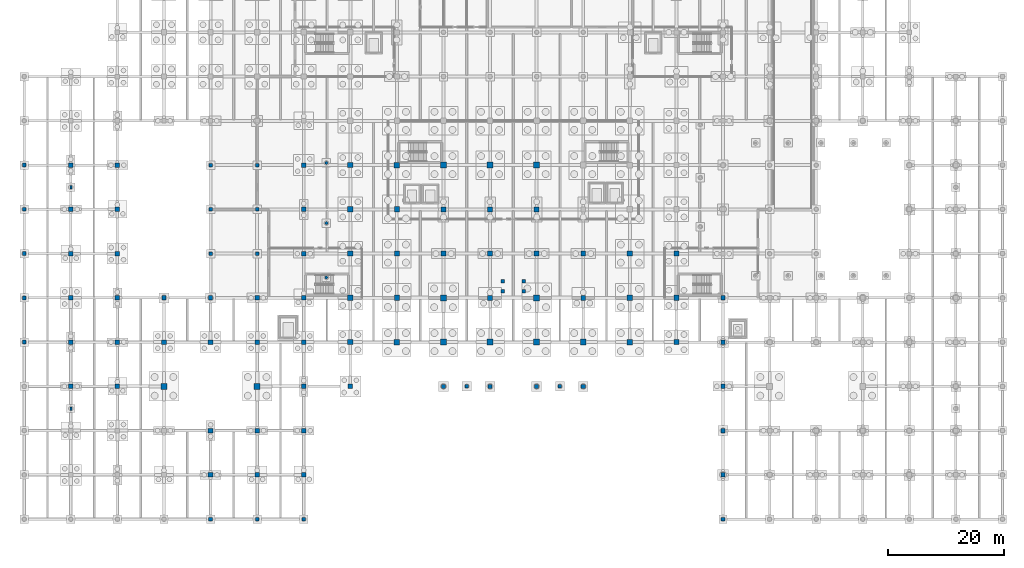
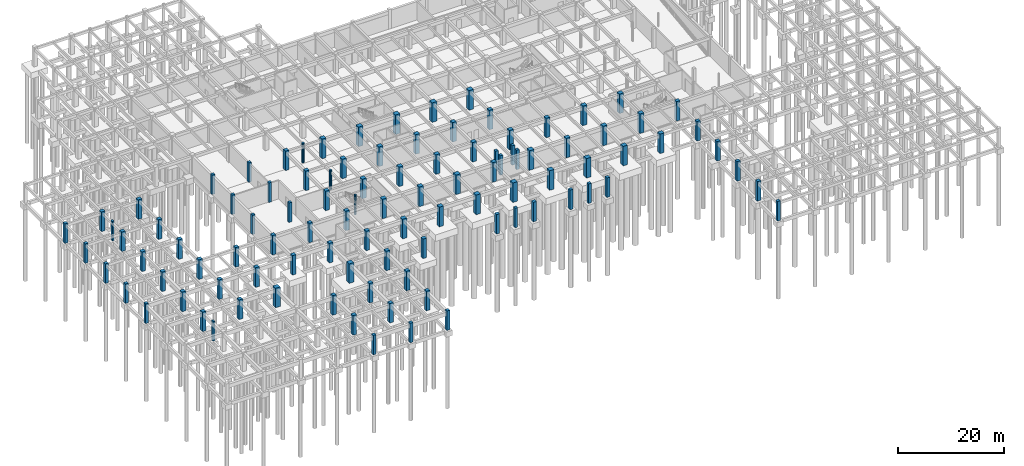
# One storey, part 17 of 49: 102 columns.
"""IFC4 building model written with IfcOpenShell, lengths in metres."""

from ifc_helpers import new_model, si_unit, direction, frame, origin, origin_2d, place, context, subcontext, project, spatial, rectangle, circle, extrude, material, material_profile, profile_set, type_object, element, save


model = new_model("IFC4")

# Units and contexts
model_context = context("Model", 3, precision=1e-05, world=origin(), true_north=direction((0.0, 1.0)))
body_context = subcontext(model_context, "Body", "Model", "MODEL_VIEW")
ifc_project = project(units=[si_unit("LENGTHUNIT", "METRE"), si_unit("AREAUNIT", "SQUARE_METRE"), si_unit("VOLUMEUNIT", "CUBIC_METRE"), si_unit("PLANEANGLEUNIT", "RADIAN"), si_unit("MASSUNIT", "GRAM", prefix="KILO")], contexts=[model_context])

# Site, building, storey
site_placement = place(None, origin())
site = spatial("IfcSite", under=ifc_project, at=site_placement, CompositionType="ELEMENT")
building_placement = place(site_placement, origin())
building = spatial("IfcBuilding", under=site, at=building_placement, Name="Zantavel Square City Hall", CompositionType="ELEMENT")
storey_placement = place(building_placement, frame((0.0, 0.0, -4.5)))
storey = spatial("IfcBuildingStorey", under=building, at=storey_placement, Name="B1", CompositionType="ELEMENT", Elevation=-4.5)

# Columns
ifc_material = material(Name="Concrete C40/50", Category="concrete")
ifc_material_profile_1 = material_profile(ifc_material, rectangle(XDim=0.60009765625, YDim=0.35009765625, at=origin_2d()), Name="RC 600x350")
ifc_profile_set_1 = profile_set([ifc_material_profile_1], Name="Concrete C40/50")
column_type_1 = type_object("IfcColumnType", Name="Colossal Facade Pilaster 600x350 C40/50", PredefinedType="PILASTER", material=ifc_profile_set_1)
for number, where, z_axis, x_axis, name in (
    (1, (8.0, 19.0, 0.0), (0.0, 0.0, 1.0), (0.0, 1.0, 0.0), "B1 Facade Pilaster PIL-B1-0080-0190"),
    (2, (8.0, 57.0, 0.0), (0.0, 0.0, 1.0), (0.0, 1.0, 0.0), "B1 Facade Pilaster PIL-B1-0080-0570"),
):
    element("IfcColumn", number, at=place(storey_placement, frame(where, z_axis=z_axis, x_axis=x_axis)), inside=storey, type_object=column_type_1, Name=name, PredefinedType="PILASTER", context=body_context, shape_type="SweptSolid", body=[
        extrude(rectangle(XDim=0.60009765625, YDim=0.35009765625, at=origin_2d()), origin(), (0.0, 0.0, 1.0), 4.5),
    ])
ifc_material_profile_2 = material_profile(ifc_material, rectangle(XDim=1.0, YDim=1.0, at=origin_2d()), Name="RC 1000x1000")
ifc_profile_set_2 = profile_set([ifc_material_profile_2], Name="Concrete C40/50")
column_type_2 = type_object("IfcColumnType", Name="Column RC 1000x1000 C40/50", PredefinedType="COLUMN", material=ifc_profile_set_2)
for number, where, z_axis, x_axis, name in (
    (3, (24.0, 22.800048828125, 0.0), (0.0, 0.0, 1.0), (1.0, 0.0, 0.0), "B1 Column COL-B1-0240-0228"),
    (4, (40.0, 22.800048828125, 0.0), (0.0, 0.0, 1.0), (1.0, 0.0, 0.0), "B1 Column COL-B1-0400-0228"),
    (5, (72.0, 30.39990234375, 0.0), (0.0, 0.0, 1.0), (1.0, 0.0, 0.0), "B1 Column COL-B1-0720-0304"),
    (6, (72.0, 38.0, 0.0), (0.0, 0.0, 1.0), (1.0, 0.0, 0.0), "B1 Column COL-B1-0720-0380"),
    (7, (72.0, 60.800048828125, 0.0), (0.0, 0.0, 1.0), (1.0, 0.0, 0.0), "B1 Column COL-B1-0720-0608"),
    (8, (80.0, 30.39990234375, 0.0), (0.0, 0.0, 1.0), (1.0, 0.0, 0.0), "B1 Column COL-B1-0800-0304"),
    (9, (80.0, 60.800048828125, 0.0), (0.0, 0.0, 1.0), (1.0, 0.0, 0.0), "B1 Column COL-B1-0800-0608"),
    (10, (88.0, 30.39990234375, 0.0), (0.0, 0.0, 1.0), (1.0, 0.0, 0.0), "B1 Column COL-B1-0880-0304"),
    (11, (88.0, 38.0, 0.0), (0.0, 0.0, 1.0), (1.0, 0.0, 0.0), "B1 Column COL-B1-0880-0380"),
    (12, (88.0, 60.800048828125, 0.0), (0.0, 0.0, 1.0), (1.0, 0.0, 0.0), "B1 Column COL-B1-0880-0608"),
    (13, (96.0, 30.39990234375, 0.0), (0.0, 0.0, 1.0), (1.0, 0.0, 0.0), "B1 Column COL-B1-0960-0304"),
):
    element("IfcColumn", number, at=place(storey_placement, frame(where, z_axis=z_axis, x_axis=x_axis)), inside=storey, type_object=column_type_2, Name=name, PredefinedType="COLUMN", context=body_context, shape_type="SweptSolid", body=[
        extrude(rectangle(XDim=1.0, YDim=1.0, at=origin_2d()), origin(), (0.0, 0.0, 1.0), 4.5),
    ])
ifc_material_profile_3 = material_profile(ifc_material, rectangle(XDim=0.60009765625, YDim=0.60009765625, at=origin_2d()), Name="RC 600x600")
ifc_profile_set_3 = profile_set([ifc_material_profile_3], Name="Concrete C40/50")
column_type_3 = type_object("IfcColumnType", Name="Column RC 600x600 C40/50", PredefinedType="COLUMN", material=ifc_profile_set_3)
for number, where, z_axis, x_axis, name in (
    (14, (32.0, 45.60009765625, 0.0), (0.0, 0.0, 1.0), (1.0, 0.0, 0.0), "B1 Column COL-B1-0320-0456"),
    (15, (32.0, 53.199951171875, 0.0), (0.0, 0.0, 1.0), (1.0, 0.0, 0.0), "B1 Column COL-B1-0320-0532"),
    (16, (32.0, 60.800048828125, 0.0), (0.0, 0.0, 1.0), (1.0, 0.0, 0.0), "B1 Column COL-B1-0320-0608"),
    (17, (40.0, 45.60009765625, 0.0), (0.0, 0.0, 1.0), (1.0, 0.0, 0.0), "B1 Column COL-B1-0400-0456"),
    (18, (40.0, 53.199951171875, 0.0), (0.0, 0.0, 1.0), (1.0, 0.0, 0.0), "B1 Column COL-B1-0400-0532"),
    (19, (40.0, 60.800048828125, 0.0), (0.0, 0.0, 1.0), (1.0, 0.0, 0.0), "B1 Column COL-B1-0400-0608"),
    (20, (76.0, 22.800048828125, 0.0), (0.0, 0.0, 1.0), (1.0, 0.0, 0.0), "B1 Portico Pedestal 76"),
    (21, (92.0, 22.800048828125, 0.0), (0.0, 0.0, 1.0), (1.0, 0.0, 0.0), "B1 Portico Pedestal 92"),
    (22, (82.199951171875, 39.14990234375, 0.0), (0.0, 0.0, 1.0), (1.0, 0.0, 0.0), "B1 Imperial Stair Support Column 1"),
    (23, (85.800048828125, 39.14990234375, 0.0), (0.0, 0.0, 1.0), (1.0, 0.0, 0.0), "B1 Imperial Stair Support Column 2"),
    (24, (82.199951171875, 40.85009765625, 0.0), (0.0, 0.0, 1.0), (1.0, 0.0, 0.0), "B1 Imperial Stair Support Column 3"),
    (25, (85.800048828125, 40.85009765625, 0.0), (0.0, 0.0, 1.0), (1.0, 0.0, 0.0), "B1 Imperial Stair Support Column 4"),
):
    element("IfcColumn", number, at=place(storey_placement, frame(where, z_axis=z_axis, x_axis=x_axis)), inside=storey, type_object=column_type_3, Name=name, PredefinedType="COLUMN", context=body_context, shape_type="SweptSolid", body=[
        extrude(rectangle(XDim=0.60009765625, YDim=0.60009765625, at=origin_2d()), origin(), (0.0, 0.0, 1.0), 4.5),
    ])
ifc_material_profile_4 = material_profile(ifc_material, rectangle(XDim=0.64990234375, YDim=0.64990234375, at=origin_2d()), Name="RC 650x650")
ifc_profile_set_4 = profile_set([ifc_material_profile_4], Name="Concrete C40/50")
column_type_4 = type_object("IfcColumnType", Name="Column RC 650x650 C40/50", PredefinedType="COLUMN", material=ifc_profile_set_4)
for number, where, z_axis, x_axis, name in (
    (26, (0.0, 30.39990234375, 0.0), (0.0, 0.0, 1.0), (1.0, 0.0, 0.0), "B1 Column COL-B1-0000-0304"),
    (27, (0.0, 38.0, 0.0), (0.0, 0.0, 1.0), (1.0, 0.0, 0.0), "B1 Column COL-B1-0000-0380"),
    (28, (0.0, 45.60009765625, 0.0), (0.0, 0.0, 1.0), (1.0, 0.0, 0.0), "B1 Column COL-B1-0000-0456"),
    (29, (0.0, 53.199951171875, 0.0), (0.0, 0.0, 1.0), (1.0, 0.0, 0.0), "B1 Column COL-B1-0000-0532"),
    (30, (0.0, 60.800048828125, 0.0), (0.0, 0.0, 1.0), (1.0, 0.0, 0.0), "B1 Column COL-B1-0000-0608"),
    (31, (32.0, 0.0, 0.0), (0.0, 0.0, 1.0), (1.0, 0.0, 0.0), "B1 Column COL-B1-0320-0000"),
    (32, (40.0, 0.0, 0.0), (0.0, 0.0, 1.0), (1.0, 0.0, 0.0), "B1 Column COL-B1-0400-0000"),
    (33, (48.0, 0.0, 0.0), (0.0, 0.0, 1.0), (1.0, 0.0, 0.0), "B1 Column COL-B1-0480-0000"),
    (34, (120.0, 0.0, 0.0), (0.0, 0.0, 1.0), (1.0, 0.0, 0.0), "B1 Column COL-B1-1200-0000"),
):
    element("IfcColumn", number, at=place(storey_placement, frame(where, z_axis=z_axis, x_axis=x_axis)), inside=storey, type_object=column_type_4, Name=name, PredefinedType="COLUMN", context=body_context, shape_type="SweptSolid", body=[
        extrude(rectangle(XDim=0.64990234375, YDim=0.64990234375, at=origin_2d()), origin(), (0.0, 0.0, 1.0), 4.5),
    ])
ifc_material_profile_5 = material_profile(ifc_material, rectangle(XDim=0.699951171875, YDim=0.699951171875, at=origin_2d()), Name="RC 700x700")
ifc_profile_set_5 = profile_set([ifc_material_profile_5], Name="Concrete C40/50")
column_type_5 = type_object("IfcColumnType", Name="Column RC 700x700 C40/50", PredefinedType="COLUMN", material=ifc_profile_set_5)
for number, where, z_axis, x_axis, name in (
    (35, (72.0, 22.800048828125, 0.0), (0.0, 0.0, 1.0), (1.0, 0.0, 0.0), "B1 Canopy Pier 72"),
    (36, (80.0, 22.800048828125, 0.0), (0.0, 0.0, 1.0), (1.0, 0.0, 0.0), "B1 Canopy Pier 80"),
    (37, (88.0, 22.800048828125, 0.0), (0.0, 0.0, 1.0), (1.0, 0.0, 0.0), "B1 Canopy Pier 88"),
    (38, (96.0, 22.800048828125, 0.0), (0.0, 0.0, 1.0), (1.0, 0.0, 0.0), "B1 Canopy Pier 96"),
):
    element("IfcColumn", number, at=place(storey_placement, frame(where, z_axis=z_axis, x_axis=x_axis)), inside=storey, type_object=column_type_5, Name=name, PredefinedType="COLUMN", context=body_context, shape_type="SweptSolid", body=[
        extrude(rectangle(XDim=0.699951171875, YDim=0.699951171875, at=origin_2d()), origin(), (0.0, 0.0, 1.0), 4.5),
    ])
ifc_material_profile_6 = material_profile(ifc_material, rectangle(XDim=0.75, YDim=0.75, at=origin_2d()), Name="RC 750x750")
ifc_profile_set_6 = profile_set([ifc_material_profile_6], Name="Concrete C40/50")
column_type_6 = type_object("IfcColumnType", Name="Column RC 750x750 C40/50", PredefinedType="COLUMN", material=ifc_profile_set_6)
for number, where, z_axis, x_axis, name in (
    (39, (24.0, 38.0, 0.0), (0.0, 0.0, 1.0), (1.0, 0.0, 0.0), "B1 Column COL-B1-0240-0380"),
    (40, (32.0, 38.0, 0.0), (0.0, 0.0, 1.0), (1.0, 0.0, 0.0), "B1 Column COL-B1-0320-0380"),
    (41, (40.0, 38.0, 0.0), (0.0, 0.0, 1.0), (1.0, 0.0, 0.0), "B1 Column COL-B1-0400-0380"),
    (42, (120.0, 7.60009765625, 0.0), (0.0, 0.0, 1.0), (1.0, 0.0, 0.0), "B1 Column COL-B1-1200-0076"),
    (43, (120.0, 15.199951171875, 0.0), (0.0, 0.0, 1.0), (1.0, 0.0, 0.0), "B1 Column COL-B1-1200-0152"),
    (44, (120.0, 22.800048828125, 0.0), (0.0, 0.0, 1.0), (1.0, 0.0, 0.0), "B1 Column COL-B1-1200-0228"),
    (45, (120.0, 30.39990234375, 0.0), (0.0, 0.0, 1.0), (1.0, 0.0, 0.0), "B1 Column COL-B1-1200-0304"),
    (46, (120.0, 38.0, 0.0), (0.0, 0.0, 1.0), (1.0, 0.0, 0.0), "B1 Column COL-B1-1200-0380"),
):
    element("IfcColumn", number, at=place(storey_placement, frame(where, z_axis=z_axis, x_axis=x_axis)), inside=storey, type_object=column_type_6, Name=name, PredefinedType="COLUMN", context=body_context, shape_type="SweptSolid", body=[
        extrude(rectangle(XDim=0.75, YDim=0.75, at=origin_2d()), origin(), (0.0, 0.0, 1.0), 4.5),
    ])
ifc_material_profile_7 = material_profile(ifc_material, rectangle(XDim=0.800048828125, YDim=0.800048828125, at=origin_2d()), Name="RC 800x800")
ifc_profile_set_7 = profile_set([ifc_material_profile_7], Name="Concrete C40/50")
column_type_7 = type_object("IfcColumnType", Name="Column RC 800x800 C40/50", PredefinedType="COLUMN", material=ifc_profile_set_7)
for number, where, z_axis, x_axis, name in (
    (47, (8.0, 22.800048828125, 0.0), (0.0, 0.0, 1.0), (1.0, 0.0, 0.0), "B1 Column COL-B1-0080-0228"),
    (48, (8.0, 30.39990234375, 0.0), (0.0, 0.0, 1.0), (1.0, 0.0, 0.0), "B1 Column COL-B1-0080-0304"),
    (49, (8.0, 38.0, 0.0), (0.0, 0.0, 1.0), (1.0, 0.0, 0.0), "B1 Column COL-B1-0080-0380"),
    (50, (8.0, 45.60009765625, 0.0), (0.0, 0.0, 1.0), (1.0, 0.0, 0.0), "B1 Column COL-B1-0080-0456"),
    (51, (8.0, 53.199951171875, 0.0), (0.0, 0.0, 1.0), (1.0, 0.0, 0.0), "B1 Column COL-B1-0080-0532"),
    (52, (8.0, 60.800048828125, 0.0), (0.0, 0.0, 1.0), (1.0, 0.0, 0.0), "B1 Column COL-B1-0080-0608"),
    (53, (16.0, 22.800048828125, 0.0), (0.0, 0.0, 1.0), (1.0, 0.0, 0.0), "B1 Column COL-B1-0160-0228"),
    (54, (16.0, 30.39990234375, 0.0), (0.0, 0.0, 1.0), (1.0, 0.0, 0.0), "B1 Column COL-B1-0160-0304"),
    (55, (16.0, 38.0, 0.0), (0.0, 0.0, 1.0), (1.0, 0.0, 0.0), "B1 Column COL-B1-0160-0380"),
    (56, (16.0, 45.60009765625, 0.0), (0.0, 0.0, 1.0), (1.0, 0.0, 0.0), "B1 Column COL-B1-0160-0456"),
    (57, (16.0, 53.199951171875, 0.0), (0.0, 0.0, 1.0), (1.0, 0.0, 0.0), "B1 Column COL-B1-0160-0532"),
    (58, (16.0, 60.800048828125, 0.0), (0.0, 0.0, 1.0), (1.0, 0.0, 0.0), "B1 Column COL-B1-0160-0608"),
    (59, (24.0, 30.39990234375, 0.0), (0.0, 0.0, 1.0), (1.0, 0.0, 0.0), "B1 Column COL-B1-0240-0304"),
    (60, (32.0, 7.60009765625, 0.0), (0.0, 0.0, 1.0), (1.0, 0.0, 0.0), "B1 Column COL-B1-0320-0076"),
    (61, (32.0, 15.199951171875, 0.0), (0.0, 0.0, 1.0), (1.0, 0.0, 0.0), "B1 Column COL-B1-0320-0152"),
    (62, (32.0, 30.39990234375, 0.0), (0.0, 0.0, 1.0), (1.0, 0.0, 0.0), "B1 Column COL-B1-0320-0304"),
    (63, (40.0, 7.60009765625, 0.0), (0.0, 0.0, 1.0), (1.0, 0.0, 0.0), "B1 Column COL-B1-0400-0076"),
    (64, (40.0, 15.199951171875, 0.0), (0.0, 0.0, 1.0), (1.0, 0.0, 0.0), "B1 Column COL-B1-0400-0152"),
    (65, (40.0, 30.39990234375, 0.0), (0.0, 0.0, 1.0), (1.0, 0.0, 0.0), "B1 Column COL-B1-0400-0304"),
    (66, (48.0, 7.60009765625, 0.0), (0.0, 0.0, 1.0), (1.0, 0.0, 0.0), "B1 Column COL-B1-0480-0076"),
    (67, (48.0, 15.199951171875, 0.0), (0.0, 0.0, 1.0), (1.0, 0.0, 0.0), "B1 Column COL-B1-0480-0152"),
    (68, (48.0, 22.800048828125, 0.0), (0.0, 0.0, 1.0), (1.0, 0.0, 0.0), "B1 Column COL-B1-0480-0228"),
    (69, (48.0, 30.39990234375, 0.0), (0.0, 0.0, 1.0), (1.0, 0.0, 0.0), "B1 Column COL-B1-0480-0304"),
    (70, (48.0, 38.0, 0.0), (0.0, 0.0, 1.0), (1.0, 0.0, 0.0), "B1 Column COL-B1-0480-0380"),
    (71, (48.0, 45.60009765625, 0.0), (0.0, 0.0, 1.0), (1.0, 0.0, 0.0), "B1 Column COL-B1-0480-0456"),
    (72, (48.0, 53.199951171875, 0.0), (0.0, 0.0, 1.0), (1.0, 0.0, 0.0), "B1 Column COL-B1-0480-0532"),
    (73, (48.0, 60.800048828125, 0.0), (0.0, 0.0, 1.0), (1.0, 0.0, 0.0), "B1 Column COL-B1-0480-0608"),
    (74, (56.0, 22.800048828125, 0.0), (0.0, 0.0, 1.0), (1.0, 0.0, 0.0), "B1 Column COL-B1-0560-0228"),
):
    element("IfcColumn", number, at=place(storey_placement, frame(where, z_axis=z_axis, x_axis=x_axis)), inside=storey, type_object=column_type_7, Name=name, PredefinedType="COLUMN", context=body_context, shape_type="SweptSolid", body=[
        extrude(rectangle(XDim=0.800048828125, YDim=0.800048828125, at=origin_2d()), origin(), (0.0, 0.0, 1.0), 4.5),
    ])
ifc_material_profile_8 = material_profile(ifc_material, rectangle(XDim=0.85009765625, YDim=0.85009765625, at=origin_2d()), Name="RC 850x850")
ifc_profile_set_8 = profile_set([ifc_material_profile_8], Name="Concrete C40/50")
column_type_8 = type_object("IfcColumnType", Name="Column RC 850x850 C40/50", PredefinedType="COLUMN", material=ifc_profile_set_8)
for number, where, z_axis, x_axis, name in (
    (75, (72.0, 45.60009765625, 0.0), (0.0, 0.0, 1.0), (1.0, 0.0, 0.0), "B1 Column COL-B1-0720-0456"),
    (76, (72.0, 53.199951171875, 0.0), (0.0, 0.0, 1.0), (1.0, 0.0, 0.0), "B1 Column COL-B1-0720-0532"),
    (77, (80.0, 38.0, 0.0), (0.0, 0.0, 1.0), (1.0, 0.0, 0.0), "B1 Column COL-B1-0800-0380"),
    (78, (80.0, 45.60009765625, 0.0), (0.0, 0.0, 1.0), (1.0, 0.0, 0.0), "B1 Column COL-B1-0800-0456"),
    (79, (80.0, 53.199951171875, 0.0), (0.0, 0.0, 1.0), (1.0, 0.0, 0.0), "B1 Column COL-B1-0800-0532"),
    (80, (88.0, 45.60009765625, 0.0), (0.0, 0.0, 1.0), (1.0, 0.0, 0.0), "B1 Column COL-B1-0880-0456"),
    (81, (88.0, 53.199951171875, 0.0), (0.0, 0.0, 1.0), (1.0, 0.0, 0.0), "B1 Column COL-B1-0880-0532"),
    (82, (96.0, 38.0, 0.0), (0.0, 0.0, 1.0), (1.0, 0.0, 0.0), "B1 Column COL-B1-0960-0380"),
    (83, (96.0, 45.60009765625, 0.0), (0.0, 0.0, 1.0), (1.0, 0.0, 0.0), "B1 Column COL-B1-0960-0456"),
):
    element("IfcColumn", number, at=place(storey_placement, frame(where, z_axis=z_axis, x_axis=x_axis)), inside=storey, type_object=column_type_8, Name=name, PredefinedType="COLUMN", context=body_context, shape_type="SweptSolid", body=[
        extrude(rectangle(XDim=0.85009765625, YDim=0.85009765625, at=origin_2d()), origin(), (0.0, 0.0, 1.0), 4.5),
    ])
ifc_material_profile_9 = material_profile(ifc_material, rectangle(XDim=0.89990234375, YDim=0.89990234375, at=origin_2d()), Name="RC 900x900")
ifc_profile_set_9 = profile_set([ifc_material_profile_9], Name="Concrete C40/50")
column_type_9 = type_object("IfcColumnType", Name="Column RC 900x900 C40/50", PredefinedType="COLUMN", material=ifc_profile_set_9)
for number, where, z_axis, x_axis, name in (
    (84, (56.0, 30.39990234375, 0.0), (0.0, 0.0, 1.0), (1.0, 0.0, 0.0), "B1 Column COL-B1-0560-0304"),
    (85, (56.0, 38.0, 0.0), (0.0, 0.0, 1.0), (1.0, 0.0, 0.0), "B1 Column COL-B1-0560-0380"),
    (86, (56.0, 45.60009765625, 0.0), (0.0, 0.0, 1.0), (1.0, 0.0, 0.0), "B1 Column COL-B1-0560-0456"),
    (87, (56.0, 53.199951171875, 0.0), (0.0, 0.0, 1.0), (1.0, 0.0, 0.0), "B1 Column COL-B1-0560-0532"),
    (88, (56.0, 60.800048828125, 0.0), (0.0, 0.0, 1.0), (1.0, 0.0, 0.0), "B1 Column COL-B1-0560-0608"),
    (89, (64.0, 38.0, 0.0), (0.0, 0.0, 1.0), (1.0, 0.0, 0.0), "B1 Column COL-B1-0640-0380"),
    (90, (64.0, 45.60009765625, 0.0), (0.0, 0.0, 1.0), (1.0, 0.0, 0.0), "B1 Column COL-B1-0640-0456"),
    (91, (64.0, 53.199951171875, 0.0), (0.0, 0.0, 1.0), (1.0, 0.0, 0.0), "B1 Column COL-B1-0640-0532"),
    (92, (104.0, 38.0, 0.0), (0.0, 0.0, 1.0), (1.0, 0.0, 0.0), "B1 Column COL-B1-1040-0380"),
    (93, (104.0, 45.60009765625, 0.0), (0.0, 0.0, 1.0), (1.0, 0.0, 0.0), "B1 Column COL-B1-1040-0456"),
    (94, (112.0, 30.39990234375, 0.0), (0.0, 0.0, 1.0), (1.0, 0.0, 0.0), "B1 Column COL-B1-1120-0304"),
    (95, (112.0, 38.0, 0.0), (0.0, 0.0, 1.0), (1.0, 0.0, 0.0), "B1 Column COL-B1-1120-0380"),
    (96, (112.0, 45.60009765625, 0.0), (0.0, 0.0, 1.0), (1.0, 0.0, 0.0), "B1 Column COL-B1-1120-0456"),
):
    element("IfcColumn", number, at=place(storey_placement, frame(where, z_axis=z_axis, x_axis=x_axis)), inside=storey, type_object=column_type_9, Name=name, PredefinedType="COLUMN", context=body_context, shape_type="SweptSolid", body=[
        extrude(rectangle(XDim=0.89990234375, YDim=0.89990234375, at=origin_2d()), origin(), (0.0, 0.0, 1.0), 4.5),
    ])
ifc_material_profile_10 = material_profile(ifc_material, circle(Radius=0.25, at=origin_2d()), Name="ROUND D500")
ifc_profile_set_10 = profile_set([ifc_material_profile_10], Name="Concrete C40/50")
column_type_10 = type_object("IfcColumnType", Name="Portico Canopy Classical Column D500 C40/50", PredefinedType="COLUMN", material=ifc_profile_set_10)
for number, where, z_axis, x_axis, name in (
    (97, (51.89990234375, 41.5, 0.0), (0.0, 0.0, 1.0), (1.0, 0.0, 0.0), "B1 Terrace Stair Loggia Column 4"),
    (98, (51.89990234375, 50.8349609375, 0.0), (0.0, 0.0, 1.0), (1.0, 0.0, 0.0), "B1 Terrace Stair Loggia Column 5"),
    (99, (51.89990234375, 61.169921875, 0.0), (0.0, 0.0, 1.0), (1.0, 0.0, 0.0), "B1 Terrace Stair Loggia Column 6"),
):
    element("IfcColumn", number, at=place(storey_placement, frame(where, z_axis=z_axis, x_axis=x_axis)), inside=storey, type_object=column_type_10, Name=name, PredefinedType="COLUMN", context=body_context, shape_type="SweptSolid", body=[
        extrude(circle(Radius=0.25, at=origin_2d()), origin(), (0.0, 0.0, 1.0), 4.5),
    ])
ifc_material_profile_11 = material_profile(ifc_material, rectangle(XDim=0.949951171875, YDim=0.949951171875, at=origin_2d()), Name="RC 950x950")
ifc_profile_set_11 = profile_set([ifc_material_profile_11], Name="Concrete C40/50")
column_type_11 = type_object("IfcColumnType", Name="Vault Corner Pier Column RC 950x950 C40/50", PredefinedType="COLUMN", material=ifc_profile_set_11)
for number, where, z_axis, x_axis, name in (
    (100, (64.0, 30.39990234375, 0.0), (0.0, 0.0, 1.0), (1.0, 0.0, 0.0), "B1 Column COL-B1-0640-0304"),
    (101, (64.0, 60.800048828125, 0.0), (0.0, 0.0, 1.0), (1.0, 0.0, 0.0), "B1 Column COL-B1-0640-0608"),
    (102, (104.0, 30.39990234375, 0.0), (0.0, 0.0, 1.0), (1.0, 0.0, 0.0), "B1 Column COL-B1-1040-0304"),
):
    element("IfcColumn", number, at=place(storey_placement, frame(where, z_axis=z_axis, x_axis=x_axis)), inside=storey, type_object=column_type_11, Name=name, PredefinedType="COLUMN", context=body_context, shape_type="SweptSolid", body=[
        extrude(rectangle(XDim=0.949951171875, YDim=0.949951171875, at=origin_2d()), origin(), (0.0, 0.0, 1.0), 4.5),
    ])

save(model, "model.ifc")
